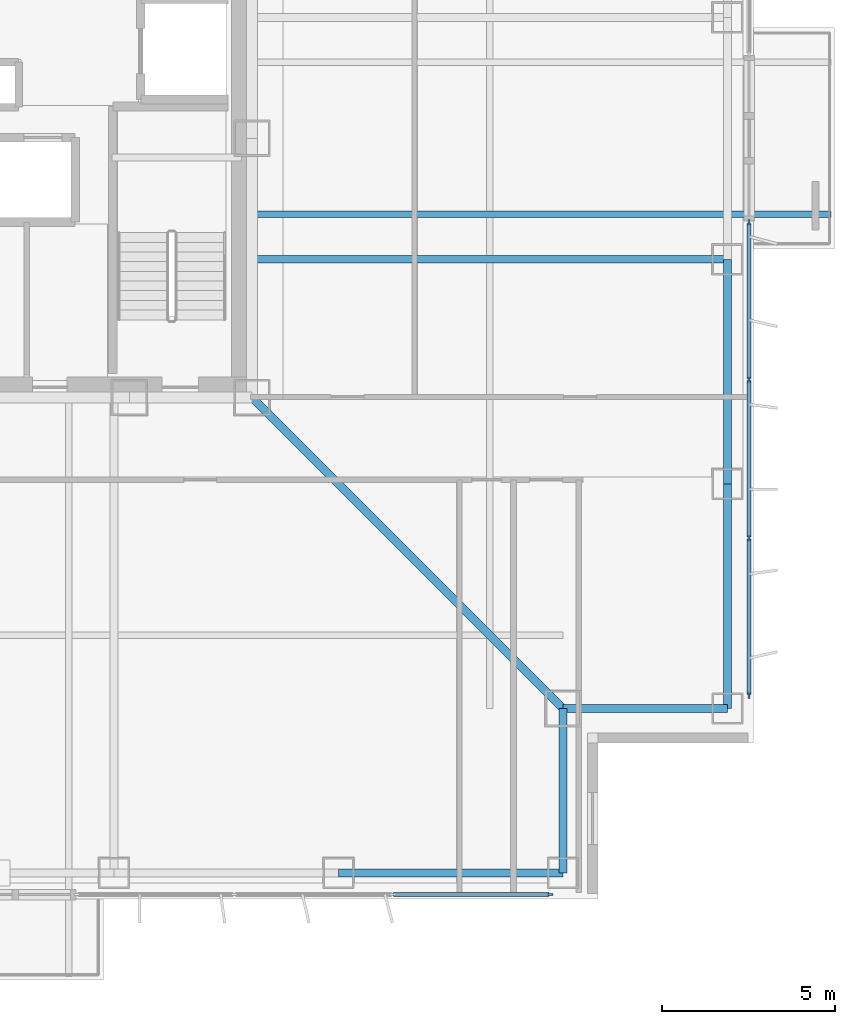
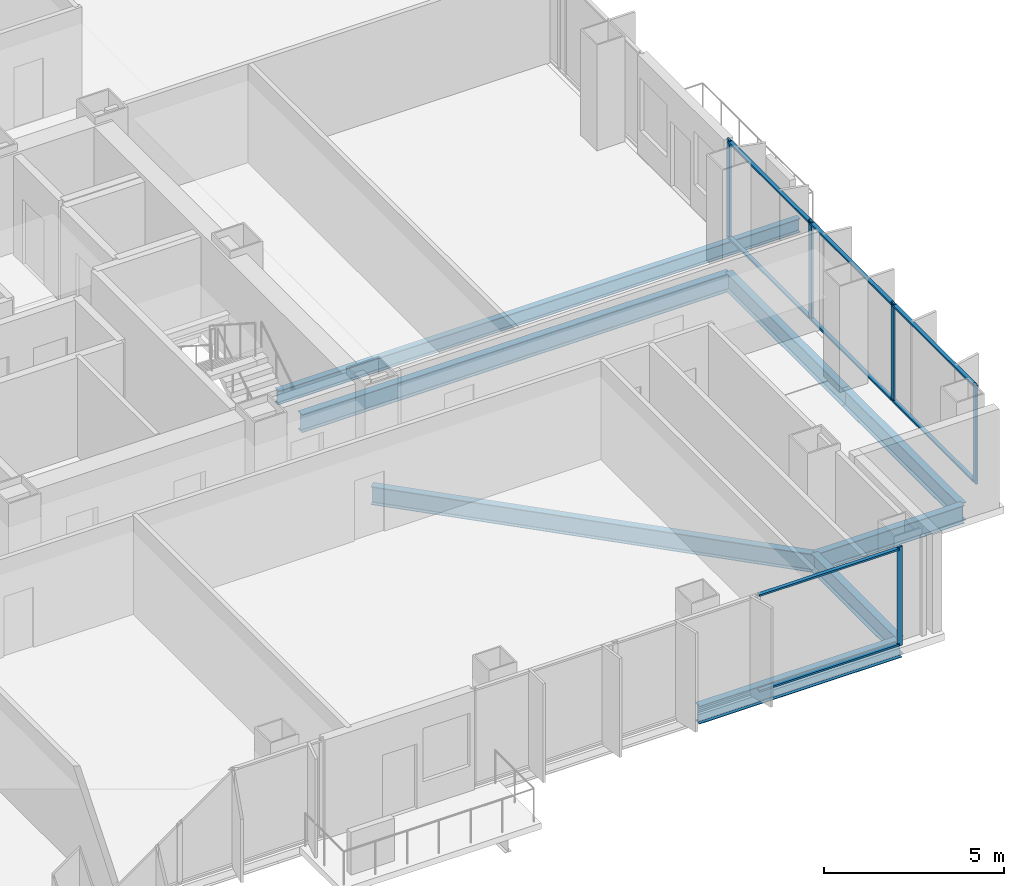
# One storey, part 7 of 18: 13 members, 8 beams, 2 elements without a shape of their own.
"""IFC4 building model written with IfcOpenShell, lengths in metres."""

from ifc_helpers import new_model, si_unit, direction, frame, origin, origin_2d, place, context, subcontext, project, spatial, rectangle, i_section, extrude, material, layer, layer_set, material_profile, profile_set, type_object, element, aggregate, save


model = new_model("IFC4")

# Units and contexts
model_context = context("Model", 3, precision=1e-05, world=origin(), true_north=direction((0.0, 1.0)))
body_context = subcontext(model_context, "Body", "Model", "MODEL_VIEW")
ifc_project = project(units=[si_unit("LENGTHUNIT", "METRE"), si_unit("AREAUNIT", "SQUARE_METRE"), si_unit("VOLUMEUNIT", "CUBIC_METRE"), si_unit("PLANEANGLEUNIT", "RADIAN"), si_unit("MASSUNIT", "GRAM", prefix="KILO")], contexts=[model_context])

# Site, building, storey
site_placement = place(None, origin())
site = spatial("IfcSite", under=ifc_project, at=site_placement, CompositionType="ELEMENT")
building_placement = place(site_placement, origin())
building = spatial("IfcBuilding", under=site, at=building_placement, Name="Trevonay Congress Spire", CompositionType="ELEMENT")
storey_placement = place(building_placement, frame((0.0, 0.0, 104.800048828125)))
storey = spatial("IfcBuildingStorey", under=building, at=storey_placement, Name="L26", CompositionType="ELEMENT", Elevation=104.800048828125)

# Beams
ifc_material_1 = material(Name="Steel ASTM A572 Grade 50", Category="steel")
ifc_material_profile_1 = material_profile(ifc_material_1, i_section(OverallWidth=0.194091796875, OverallDepth=0.468994140625, WebThickness=0.011474609375, FlangeThickness=0.01953125, FilletRadius=0.013916015625, at=origin_2d()), Name="W460x106")
ifc_profile_set_1 = profile_set([ifc_material_profile_1], Name="Steel ASTM A572 Grade 50")
beam_type_1 = type_object("IfcBeamType", Name="BM-BAL-LOOKOUT", PredefinedType="BEAM", material=ifc_profile_set_1)
beam_1_placement = place(storey_placement, frame((7.5, -2.199951171875, -0.474609375), z_axis=(1.0, 0.0, 0.0), x_axis=(0.0, 1.0, 0.0)))
element("IfcBeam", 1, at=beam_1_placement, inside=storey, type_object=beam_type_1, Name="L26 structural beam LKT-L26-E1", PredefinedType="BEAM", context=body_context, shape_type="SweptSolid", body=[
    extrude(i_section(OverallWidth=0.194091796875, OverallDepth=0.468994140625, WebThickness=0.011474609375, FlangeThickness=0.01953125, FilletRadius=0.013916015625, at=origin_2d()), origin(), (0.0, 0.0, 1.0), 16.75),
])
ifc_material_profile_2 = material_profile(ifc_material_1, i_section(OverallWidth=0.22998046875, OverallDepth=0.616943359375, WebThickness=0.01318359375, FlangeThickness=0.022216796875, FilletRadius=0.01611328125, at=origin_2d()), Name="W610x140")
ifc_profile_set_2 = profile_set([ifc_material_profile_2], Name="Steel ASTM A572 Grade 50")
beam_type_2 = type_object("IfcBeamType", Name="BM-GIRD-W610X140", PredefinedType="BEAM", material=ifc_profile_set_2)
beam_2_placement = place(storey_placement, frame((7.5, -7.5, -0.548583984375), z_axis=(0.707106781187, -0.707106781187, 0.0), x_axis=(0.707106781187, 0.707106781187, 0.0)))
element("IfcBeam", 2, at=beam_2_placement, inside=storey, type_object=beam_type_2, Name="L26 structural beam BM-L26-CDSE", PredefinedType="BEAM", context=body_context, shape_type="SweptSolid", body=[
    extrude(i_section(OverallWidth=0.22998046875, OverallDepth=0.616943359375, WebThickness=0.01318359375, FlangeThickness=0.022216796875, FilletRadius=0.01611328125, at=origin_2d()), origin(), (0.0, 0.0, 1.0), 12.72802734375),
])
beam_3_placement = place(storey_placement, frame((7.5, -3.5, -0.548583984375), z_axis=(1.0, 0.0, 0.0), x_axis=(0.0, 1.0, 0.0)))
element("IfcBeam", 3, at=beam_3_placement, inside=storey, type_object=beam_type_2, Name="L26 structural beam BM-L26-GE-M", PredefinedType="BEAM", context=body_context, shape_type="SweptSolid", body=[
    extrude(i_section(OverallWidth=0.22998046875, OverallDepth=0.616943359375, WebThickness=0.01318359375, FlangeThickness=0.022216796875, FilletRadius=0.01611328125, at=origin_2d()), origin(), (0.0, 0.0, 1.0), 13.75),
])
ifc_material_profile_3 = material_profile(ifc_material_1, i_section(OverallWidth=0.22802734375, OverallDepth=0.60791015625, WebThickness=0.01123046875, FlangeThickness=0.017333984375, FilletRadius=0.01611328125, at=origin_2d()), Name="W610x113")
ifc_profile_set_3 = profile_set([ifc_material_profile_3], Name="Steel ASTM A572 Grade 50")
beam_type_3 = type_object("IfcBeamType", Name="BM-RING-W610X113", PredefinedType="BEAM", material=ifc_profile_set_3)
for number, where, z_axis, x_axis, name in (
    (4, (21.25, -16.5, -0.5439453125), (0.0, 1.0, 0.0), (-1.0, 0.0, 0.0), "L26 structural beam BM-L26-PE1"),
    (5, (21.25, -10.0, -0.5439453125), (0.0, 1.0, 0.0), (-1.0, 0.0, 0.0), "L26 structural beam BM-L26-PE2"),
    (6, (10.0, -21.25, -0.5439453125), (1.0, 0.0, 0.0), (0.0, 1.0, 0.0), "L26 structural beam BM-L26-PS5"),
):
    element("IfcBeam", number, at=place(storey_placement, frame(where, z_axis=z_axis, x_axis=x_axis)), inside=storey, type_object=beam_type_3, Name=name, PredefinedType="BEAM", context=body_context, shape_type="SweptSolid", body=[
        extrude(i_section(OverallWidth=0.22802734375, OverallDepth=0.60791015625, WebThickness=0.01123046875, FlangeThickness=0.017333984375, FilletRadius=0.01611328125, at=origin_2d()), origin(), (0.0, 0.0, 1.0), 6.5),
    ])
for number, where, z_axis, x_axis, name in (
    (7, (16.5, -21.25, -0.5439453125), (0.0, 1.0, 0.0), (-1.0, 0.0, 0.0), "L26 structural beam BM-L26-N1SE"),
    (8, (21.25, -16.5, -0.5439453125), (-1.0, 0.0, 0.0), (0.0, -1.0, 0.0), "L26 structural beam BM-L26-N2SE"),
):
    element("IfcBeam", number, at=place(storey_placement, frame(where, z_axis=z_axis, x_axis=x_axis)), inside=storey, type_object=beam_type_3, Name=name, PredefinedType="BEAM", context=body_context, shape_type="SweptSolid", body=[
        extrude(i_section(OverallWidth=0.22802734375, OverallDepth=0.60791015625, WebThickness=0.01123046875, FlangeThickness=0.017333984375, FilletRadius=0.01611328125, at=origin_2d()), origin(), (0.0, 0.0, 1.0), 4.75),
    ])

# Curtain wall, member
ifc_material_2 = material(Name="Pale Anodised Aluminium EN AW-6063-T6", Category="aluminium")
ifc_layer = layer(ifc_material_2, 0.175048828125, Name="Pale Anodised Aluminium EN AW-6063-T6")
ifc_layer_set = layer_set([ifc_layer], Name="Pale Anodised Aluminium EN AW-6063-T6")
curtain_wall_type = type_object("IfcCurtainWallType", Name="CW-SYS03-CONGRESS-PALE-METAL", PredefinedType="NOTDEFINED", material=ifc_layer_set)
curtain_wall_1_placement = place(storey_placement, origin())
curtain_wall_1 = element("IfcCurtainWall", 9, at=curtain_wall_1_placement, inside=storey, type_object=curtain_wall_type, Name="L26 SB unitised curtain wall", PredefinedType="NOTDEFINED")
ifc_material_profile_4 = material_profile(ifc_material_2, rectangle(XDim=0.06005859375, YDim=0.159912109375, at=origin_2d()), Name="CW-MULLION-160-ALUMINIUM")
ifc_profile_set_4 = profile_set([ifc_material_profile_4], Name="Pale Anodised Aluminium EN AW-6063-T6")
member_type_1 = type_object("IfcMemberType", Name="CW-MULLION-160-ALUMINIUM", PredefinedType="MULLION", material=ifc_profile_set_4)
member_1_placement = place(storey_placement, frame((16.1201171875, -21.8798828125, 0.0), z_axis=(0.0, 0.0, 1.0), x_axis=(0.0, 1.0, 0.0)))
member_1 = element("IfcMember", 10, at=member_1_placement, type_object=member_type_1, Name="CW03 mullion 4", PredefinedType="MULLION", context=body_context, shape_type="SweptSolid", body=[
    extrude(rectangle(XDim=0.06005859375, YDim=0.159912109375, at=origin_2d()), origin(), (0.0, 0.0, 1.0), 3.35986328125),
])

# Curtain wall, members
curtain_wall_2_placement = place(storey_placement, origin())
curtain_wall_2 = element("IfcCurtainWall", 11, at=curtain_wall_2_placement, inside=storey, type_object=curtain_wall_type, Name="L26 EA unitised curtain wall", PredefinedType="NOTDEFINED")
member_2_placement = place(storey_placement, frame((21.8798828125, -16.1201171875, 0.0), z_axis=(0.0, 0.0, 1.0), x_axis=(-1.0, 0.0, 0.0)))
member_2 = element("IfcMember", 12, at=member_2_placement, type_object=member_type_1, Name="CW03 mullion 1", PredefinedType="MULLION", context=body_context, shape_type="SweptSolid", body=[
    extrude(rectangle(XDim=0.06005859375, YDim=0.159912109375, at=origin_2d()), origin(), (0.0, 0.0, 1.0), 3.35986328125),
])
member_3_placement = place(storey_placement, frame((21.8798828125, -11.566650390625, 0.0), z_axis=(0.0, 0.0, 1.0), x_axis=(-1.0, 0.0, 0.0)))
member_3 = element("IfcMember", 13, at=member_3_placement, type_object=member_type_1, Name="CW03 mullion 2", PredefinedType="MULLION", context=body_context, shape_type="SweptSolid", body=[
    extrude(rectangle(XDim=0.06005859375, YDim=0.159912109375, at=origin_2d()), origin(), (0.0, 0.0, 1.0), 3.35986328125),
])
member_4_placement = place(storey_placement, frame((21.8798828125, -6.9833984375, 0.0), z_axis=(0.0, 0.0, 1.0), x_axis=(-1.0, 0.0, 0.0)))
member_4 = element("IfcMember", 14, at=member_4_placement, type_object=member_type_1, Name="CW03 mullion 3", PredefinedType="MULLION", context=body_context, shape_type="SweptSolid", body=[
    extrude(rectangle(XDim=0.06005859375, YDim=0.159912109375, at=origin_2d()), origin(), (0.0, 0.0, 1.0), 3.35986328125),
])
member_5_placement = place(storey_placement, frame((21.8798828125, -2.429931640625, 0.0), z_axis=(0.0, 0.0, 1.0), x_axis=(-1.0, 0.0, 0.0)))
member_5 = element("IfcMember", 15, at=member_5_placement, type_object=member_type_1, Name="CW03 mullion 4", PredefinedType="MULLION", context=body_context, shape_type="SweptSolid", body=[
    extrude(rectangle(XDim=0.06005859375, YDim=0.159912109375, at=origin_2d()), origin(), (0.0, 0.0, 1.0), 3.35986328125),
])

# Member
ifc_material_profile_5 = material_profile(ifc_material_2, rectangle(XDim=0.1201171875, YDim=0.06005859375, at=origin_2d()), Name="CW-TRANSOM-120-ALUMINIUM")
ifc_profile_set_5 = profile_set([ifc_material_profile_5], Name="Pale Anodised Aluminium EN AW-6063-T6")
member_type_2 = type_object("IfcMemberType", Name="CW-TRANSOM-120-ALUMINIUM", PredefinedType="USERDEFINED", material=ifc_profile_set_5)
member_6_placement = place(storey_placement, frame((11.5966796875, -21.8798828125, 0.06005859375), z_axis=(1.0, 0.0, 0.0), x_axis=(0.0, 1.0, 0.0)))
member_6 = element("IfcMember", 16, at=member_6_placement, type_object=member_type_2, Name="CW03 transom 3.1", ObjectType="TRANSOM", PredefinedType="USERDEFINED", context=body_context, shape_type="SweptSolid", body=[
    extrude(rectangle(XDim=0.1201171875, YDim=0.06005859375, at=origin_2d()), origin(), (0.0, 0.0, 1.0), 4.493408203125),
])

member_7_placement = place(storey_placement, frame((11.5966796875, -21.8798828125, 3.300048828125), z_axis=(1.0, 0.0, 0.0), x_axis=(0.0, 1.0, 0.0)))
member_7 = element("IfcMember", 17, at=member_7_placement, type_object=member_type_2, Name="CW03 transom 3.2", ObjectType="TRANSOM", PredefinedType="USERDEFINED", context=body_context, shape_type="SweptSolid", body=[
    extrude(rectangle(XDim=0.1201171875, YDim=0.06005859375, at=origin_2d()), origin(), (0.0, 0.0, 1.0), 4.493408203125),
])

aggregate(curtain_wall_1, [member_1, member_6, member_7])

member_8_placement = place(storey_placement, frame((21.8798828125, -16.090087890625, 0.06005859375), z_axis=(0.0, 1.0, 0.0), x_axis=(-1.0, 0.0, 0.0)))
member_8 = element("IfcMember", 18, at=member_8_placement, type_object=member_type_2, Name="CW03 transom 1.1", ObjectType="TRANSOM", PredefinedType="USERDEFINED", context=body_context, shape_type="SweptSolid", body=[
    extrude(rectangle(XDim=0.1201171875, YDim=0.06005859375, at=origin_2d()), origin(), (0.0, 0.0, 1.0), 4.493408203125),
])

member_9_placement = place(storey_placement, frame((21.8798828125, -16.090087890625, 3.300048828125), z_axis=(0.0, 1.0, 0.0), x_axis=(-1.0, 0.0, 0.0)))
member_9 = element("IfcMember", 19, at=member_9_placement, type_object=member_type_2, Name="CW03 transom 1.2", ObjectType="TRANSOM", PredefinedType="USERDEFINED", context=body_context, shape_type="SweptSolid", body=[
    extrude(rectangle(XDim=0.1201171875, YDim=0.06005859375, at=origin_2d()), origin(), (0.0, 0.0, 1.0), 4.493408203125),
])

member_10_placement = place(storey_placement, frame((21.8798828125, -11.53662109375, 0.06005859375), z_axis=(0.0, 1.0, 0.0), x_axis=(-1.0, 0.0, 0.0)))
member_10 = element("IfcMember", 20, at=member_10_placement, type_object=member_type_2, Name="CW03 transom 2.1", ObjectType="TRANSOM", PredefinedType="USERDEFINED", context=body_context, shape_type="SweptSolid", body=[
    extrude(rectangle(XDim=0.1201171875, YDim=0.06005859375, at=origin_2d()), origin(), (0.0, 0.0, 1.0), 4.523193359375),
])

member_11_placement = place(storey_placement, frame((21.8798828125, -11.53662109375, 3.300048828125), z_axis=(0.0, 1.0, 0.0), x_axis=(-1.0, 0.0, 0.0)))
member_11 = element("IfcMember", 21, at=member_11_placement, type_object=member_type_2, Name="CW03 transom 2.2", ObjectType="TRANSOM", PredefinedType="USERDEFINED", context=body_context, shape_type="SweptSolid", body=[
    extrude(rectangle(XDim=0.1201171875, YDim=0.06005859375, at=origin_2d()), origin(), (0.0, 0.0, 1.0), 4.523193359375),
])

member_12_placement = place(storey_placement, frame((21.8798828125, -6.953369140625, 0.06005859375), z_axis=(0.0, 1.0, 0.0), x_axis=(-1.0, 0.0, 0.0)))
member_12 = element("IfcMember", 22, at=member_12_placement, type_object=member_type_2, Name="CW03 transom 3.1", ObjectType="TRANSOM", PredefinedType="USERDEFINED", context=body_context, shape_type="SweptSolid", body=[
    extrude(rectangle(XDim=0.1201171875, YDim=0.06005859375, at=origin_2d()), origin(), (0.0, 0.0, 1.0), 4.493408203125),
])

member_13_placement = place(storey_placement, frame((21.8798828125, -6.953369140625, 3.300048828125), z_axis=(0.0, 1.0, 0.0), x_axis=(-1.0, 0.0, 0.0)))
member_13 = element("IfcMember", 23, at=member_13_placement, type_object=member_type_2, Name="CW03 transom 3.2", ObjectType="TRANSOM", PredefinedType="USERDEFINED", context=body_context, shape_type="SweptSolid", body=[
    extrude(rectangle(XDim=0.1201171875, YDim=0.06005859375, at=origin_2d()), origin(), (0.0, 0.0, 1.0), 4.493408203125),
])

aggregate(curtain_wall_2, [member_2, member_3, member_4, member_5, member_8, member_9, member_10, member_11, member_12, member_13])

save(model, "model.ifc")
